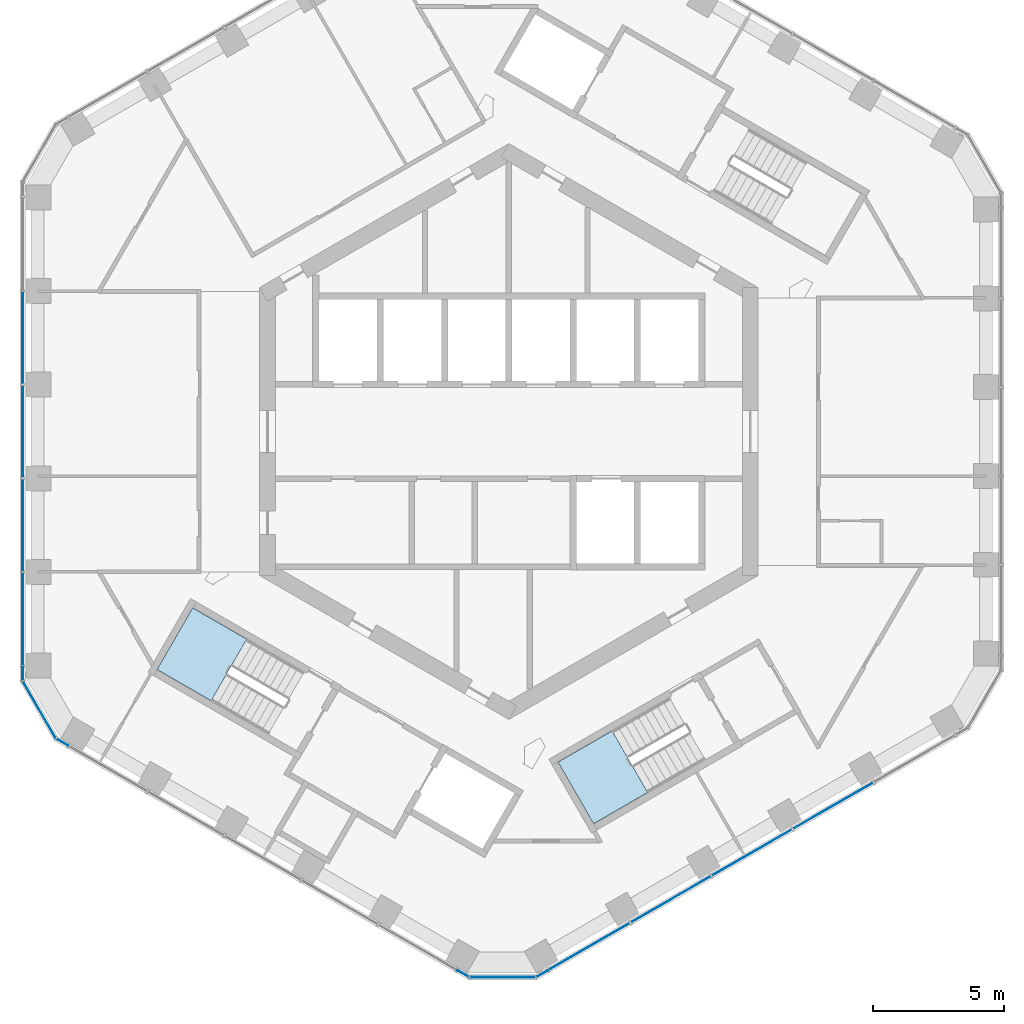
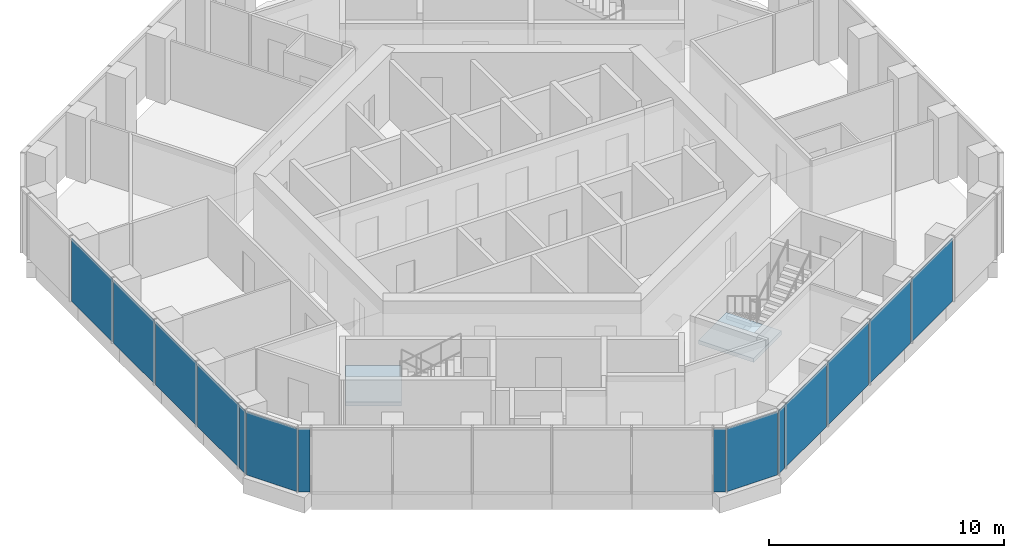
# One storey, part 9 of 18: 14 plates, 2 slabs, 6 elements without a shape of their own.
"""IFC4 building model written with IfcOpenShell, lengths in metres."""

import ifcopenshell
import ifcopenshell.guid

model = None  # the IFC model being written
_history = None  # IfcOwnerHistory: only IFC2X3 demands one
_inside = {}  # id of a spatial element -> (the spatial element, [elements in it])
_under = {}  # id of a project, library or spatial element -> (it, [spatial elements below it])
_declared = {}  # id of a project -> (the project, [libraries it declares])
_typed = {}  # id of a type object -> (the type object, [elements of that type])
_made_of = {}  # id of a material, layer set ... -> (it, [elements and type objects made of it])


def new_model(schema):
    """Start an empty IFC model of exactly this schema.

    Asked for "IFC4X3", IfcOpenShell would pick the latest addendum, in which some entities
    have other attributes; the version numbers below select the first issue.
    IFC2X3 requires an IfcOwnerHistory on every rooted entity: one is made here for all.
    """
    global model, _history
    if schema == "IFC4X3":
        model = ifcopenshell.file(schema_version=(4, 3, 0, 0))
    else:
        model = ifcopenshell.file(schema=schema)
    _inside.clear()
    _under.clear()
    _declared.clear()
    _typed.clear()
    _made_of.clear()
    _history = None
    if model.schema == "IFC2X3":
        org = make("IfcOrganization", Name="unknown")
        user = make(
            "IfcPersonAndOrganization",
            ThePerson=make("IfcPerson", FamilyName="unknown"),
            TheOrganization=org,
        )
        app = make(
            "IfcApplication",
            ApplicationDeveloper=org,
            Version="unknown",
            ApplicationFullName="unknown",
            ApplicationIdentifier="unknown",
        )
        _history = make(
            "IfcOwnerHistory",
            OwningUser=user,
            OwningApplication=app,
            ChangeAction="ADDED",
            CreationDate=0,
        )
    return model


def make(cls, **values):
    """One entity of the class cls with the attributes given. An attribute that is None is left unset."""
    return model.create_entity(
        cls, **{name: value for name, value in values.items() if value is not None}
    )


def rooted(cls, **values):
    """An entity with a GlobalId (a new one), such as an element, a storey or a relation."""
    return make(cls, GlobalId=ifcopenshell.guid.new(), OwnerHistory=_history, **values)


def si_unit(unit_type, name, prefix=None):
    """IfcSIUnit, for example si_unit("LENGTHUNIT", "METRE", prefix="MILLI")."""
    return make("IfcSIUnit", UnitType=unit_type, Prefix=prefix, Name=name)


def assignment(units):
    """IfcUnitAssignment: the units of a project."""
    return None if units is None else make("IfcUnitAssignment", Units=units)


def point(xyz):
    """IfcCartesianPoint."""
    return None if xyz is None else make("IfcCartesianPoint", Coordinates=xyz)


def direction(xyz):
    """IfcDirection."""
    return None if xyz is None else make("IfcDirection", DirectionRatios=xyz)


def frame(location, z_axis=None, x_axis=None):
    """IfcAxis2Placement3D, a coordinate frame: its origin and axes. An axis left out is left unset."""
    return make(
        "IfcAxis2Placement3D",
        Location=point(location),
        Axis=direction(z_axis),
        RefDirection=direction(x_axis),
    )


def frame_2d(location, x_axis=None):
    """IfcAxis2Placement2D, a coordinate frame in the plane: its origin and x axis."""
    return make(
        "IfcAxis2Placement2D", Location=point(location), RefDirection=direction(x_axis)
    )


def origin():
    """The frame at (0, 0, 0) with its axes left unset."""
    return frame((0.0, 0.0, 0.0))


def origin_2d():
    """The frame at (0, 0) in the plane with its x axis left unset."""
    return frame_2d((0.0, 0.0))


def place(relative_to, where):
    """IfcLocalPlacement: puts the frame where relative to a parent placement (None: the world)."""
    return make(
        "IfcLocalPlacement", PlacementRelTo=relative_to, RelativePlacement=where
    )


def context(
    kind, dimensions, precision=None, world=None, true_north=None, identifier=None
):
    """IfcGeometricRepresentationContext, for example the 3D "Model" context."""
    return make(
        "IfcGeometricRepresentationContext",
        ContextIdentifier=identifier,
        ContextType=kind,
        CoordinateSpaceDimension=dimensions,
        Precision=precision,
        WorldCoordinateSystem=world,
        TrueNorth=true_north,
    )


def subcontext(parent, identifier, kind, view, scale=None):
    """IfcGeometricRepresentationSubContext, for example "Body" below "Model"."""
    return make(
        "IfcGeometricRepresentationSubContext",
        ContextIdentifier=identifier,
        ContextType=kind,
        ParentContext=parent,
        TargetScale=scale,
        TargetView=view,
    )


def project(units=None, contexts=None):
    """IfcProject with its units and contexts."""
    return rooted(
        "IfcProject",
        Name="project",
        RepresentationContexts=contexts,
        UnitsInContext=assignment(units),
    )


def spatial(cls, under=None, at=None, **own):
    """A site, building, storey or space (cls), placed at a placement, below another one or the project."""
    s = rooted(cls, ObjectPlacement=at, **own)
    if under is not None:
        _under.setdefault(under.id(), (under, []))[1].append(s)
    return s


def polyline(points):
    """IfcPolyline through the points."""
    return make("IfcPolyline", Points=[point(p) for p in points])


def profile(cls, at=None, kind="AREA", **sizes):
    """A parametric profile (cls). Its sizes go by their IFC names, for example OverallWidth=200.0."""
    return make(cls, ProfileType=kind, Position=at, **sizes)


def rectangle(**sizes):
    """IfcRectangleProfileDef."""
    return profile("IfcRectangleProfileDef", **sizes)


def outline(outer, holes=None, kind="AREA"):
    """IfcArbitraryClosedProfileDef: a profile drawn as a closed curve; with holes, ...WithVoids."""
    if holes is None:
        return make("IfcArbitraryClosedProfileDef", ProfileType=kind, OuterCurve=outer)
    return make(
        "IfcArbitraryProfileDefWithVoids",
        ProfileType=kind,
        OuterCurve=outer,
        InnerCurves=holes,
    )


def extrude(swept, where, along, depth):
    """IfcExtrudedAreaSolid: the profile swept, set in the frame where, extruded along a direction by depth."""
    return make(
        "IfcExtrudedAreaSolid",
        SweptArea=swept,
        Position=where,
        ExtrudedDirection=direction(along),
        Depth=depth,
    )


def shape(context_of_items, identifier, shape_type, items):
    """IfcShapeRepresentation: the items that make up one representation, for example the "Body"."""
    return make(
        "IfcShapeRepresentation",
        ContextOfItems=context_of_items,
        RepresentationIdentifier=identifier,
        RepresentationType=shape_type,
        Items=items,
    )


def material(Name=None, Category=None):
    """IfcMaterial."""
    return make("IfcMaterial", Name=Name, Category=Category)


def layer(
    of_material, thickness, ventilated=None, Name=None, Category=None, Priority=None
):
    """IfcMaterialLayer: one layer of a wall or slab, of a material (None: an air gap)."""
    return make(
        "IfcMaterialLayer",
        Material=of_material,
        LayerThickness=thickness,
        IsVentilated=ventilated,
        Name=Name,
        Category=Category,
        Priority=Priority,
    )


def layer_set(layers, Name=None):
    """IfcMaterialLayerSet."""
    return make("IfcMaterialLayerSet", MaterialLayers=layers, LayerSetName=Name)


def made_of(thing, what):
    """Note that an element or type object is made of a material, layer set ...; save() writes the relation."""
    if what is not None:
        _made_of.setdefault(what.id(), (what, []))[1].append(thing)
    return thing


def type_object(cls, material=None, **own):
    """A type object (cls), such as IfcWallType, which elements share."""
    return made_of(rooted(cls, **own), material)


def element(
    cls,
    number,
    at=None,
    inside=None,
    cuts=None,
    type_object=None,
    material=None,
    context=None,
    identifier="Body",
    shape_type=None,
    held_by="IfcProductDefinitionShape",
    body=None,
    shapes=None,
    **own,
):
    """One element of the class cls, such as IfcWall. Its Tag is "e" and its number.

    at: its placement. inside: the storey or other place that contains it. cuts: it is an
    opening in that element (IfcRelVoidsElement). A single representation is given by context,
    identifier, shape_type and body (its items); several are given by shapes. held_by: the class
    of the entity that holds the representations. save() writes the other relations.
    """
    e = rooted(cls, Tag="e%d" % number, ObjectPlacement=at, **own)
    if body is not None:
        shapes = [shape(context, identifier, shape_type, body)]
    if shapes is not None:
        e.Representation = make(held_by, Representations=shapes)
    if inside is not None:
        _inside.setdefault(inside.id(), (inside, []))[1].append(e)
    if cuts is not None:
        rooted(
            "IfcRelVoidsElement", RelatingBuildingElement=cuts, RelatedOpeningElement=e
        )
    if type_object is not None:
        _typed.setdefault(type_object.id(), (type_object, []))[1].append(e)
    return made_of(e, material)


def aggregate(whole, parts):
    """IfcRelAggregates: a whole, such as a stair, and the parts it consists of."""
    return rooted("IfcRelAggregates", RelatingObject=whole, RelatedObjects=parts)


def save(model, path):
    """Write the relations noted so far, then the file.

    IfcRelAggregates (storeys below a building ...), IfcRelContainedInSpatialStructure (elements
    in a storey), IfcRelDefinesByType, IfcRelAssociatesMaterial and IfcRelDeclares: one each for
    every whole, place, type object, material and project.
    """
    for whole, parts in _under.values():
        aggregate(whole, parts)
    for where, things in _inside.values():
        rooted(
            "IfcRelContainedInSpatialStructure",
            RelatedElements=things,
            RelatingStructure=where,
        )
    for kind, things in _typed.values():
        rooted("IfcRelDefinesByType", RelatedObjects=things, RelatingType=kind)
    for what, things in _made_of.values():
        rooted("IfcRelAssociatesMaterial", RelatedObjects=things, RelatingMaterial=what)
    for by, libraries in _declared.values():
        rooted("IfcRelDeclares", RelatingContext=by, RelatedDefinitions=libraries)
    model.write(path)


model = new_model("IFC4")

# Units and contexts
model_context = context("Model", 3, precision=1e-05, world=origin(), true_north=direction((0.0, 1.0)))
body_context = subcontext(model_context, "Body", "Model", "MODEL_VIEW")
ifc_project = project(units=[si_unit("LENGTHUNIT", "METRE"), si_unit("AREAUNIT", "SQUARE_METRE"), si_unit("VOLUMEUNIT", "CUBIC_METRE"), si_unit("PLANEANGLEUNIT", "RADIAN"), si_unit("MASSUNIT", "GRAM", prefix="KILO")], contexts=[model_context])

# Site, building, storey
site_placement = place(None, origin())
site = spatial("IfcSite", under=ifc_project, at=site_placement, CompositionType="ELEMENT")
building_placement = place(site_placement, origin())
building = spatial("IfcBuilding", under=site, at=building_placement, Name="Ayvan Gate Tower", CompositionType="ELEMENT")
storey_placement = place(building_placement, frame((0.0, 0.0, 166.300048828125)))
storey = spatial("IfcBuildingStorey", under=building, at=storey_placement, Name="L44", CompositionType="ELEMENT", Elevation=166.300048828125)

# Stair, slab
ifc_material_1 = material(Name="Concrete C40/50", Category="concrete")
stair_type = type_object("IfcStairType", Name="ST-EXIT", PredefinedType="HALF_TURN_STAIR", material=ifc_material_1)
stair_1_placement = place(storey_placement, origin())
stair_1 = element("IfcStair", 1, at=stair_1_placement, inside=storey, type_object=stair_type, Name="L44 Exit Stair S2", PredefinedType="HALF_TURN_STAIR")
ifc_layer_1 = layer(ifc_material_1, 0.199951171875)
ifc_layer_set_1 = layer_set([ifc_layer_1], Name="Concrete C40/50")
slab_type = type_object("IfcSlabType", Name="SL-LANDING-200", PredefinedType="LANDING", material=ifc_layer_set_1)
slab_1_placement = place(storey_placement, frame((0.0, 0.0, 1.5)))
slab_1 = element("IfcSlab", 2, at=slab_1_placement, type_object=slab_type, Name="STS2 landing 1", PredefinedType="LANDING", context=body_context, shape_type="SweptSolid", body=[
    extrude(outline(polyline([(-9.988525390625, -7.91064453125), (-12.049560546875, -6.720458984375), (-13.404541015625, -9.0673828125), (-11.343505859375, -10.257568359375), (-9.988525390625, -7.91064453125)])), origin(), (0.0, 0.0, 1.0), 0.199951171875),
])
aggregate(stair_1, [slab_1])

stair_2_placement = place(storey_placement, origin())
stair_2 = element("IfcStair", 3, at=stair_2_placement, inside=storey, type_object=stair_type, Name="L44 Exit Stair S3", PredefinedType="HALF_TURN_STAIR")
slab_2_placement = place(storey_placement, frame((0.0, 0.0, 1.5)))
slab_2 = element("IfcSlab", 4, at=slab_2_placement, type_object=slab_type, Name="STS3 landing 1", PredefinedType="LANDING", context=body_context, shape_type="SweptSolid", body=[
    extrude(outline(polyline([(3.93505859375, -11.405517578125), (1.873779296875, -12.595458984375), (3.228759765625, -14.9423828125), (5.2900390625, -13.75244140625), (3.93505859375, -11.405517578125)])), origin(), (0.0, 0.0, 1.0), 0.199951171875),
])
aggregate(stair_2, [slab_2])

# Curtain wall, plates
ifc_material_2 = material(Name="Bronze anodised aluminium", Category="aluminium")
ifc_layer_2 = layer(ifc_material_2, 0.199951171875)
ifc_layer_set_2 = layer_set([ifc_layer_2], Name="Bronze anodised aluminium")
curtain_wall_type_1 = type_object("IfcCurtainWallType", Name="Stick curtain wall CW-2", PredefinedType="NOTDEFINED", material=ifc_layer_set_2)
curtain_wall_1_placement = place(storey_placement, origin())
curtain_wall_1 = element("IfcCurtainWall", 5, at=curtain_wall_1_placement, inside=storey, type_object=curtain_wall_type_1, Name="Stick curtain wall CW-2 L44", PredefinedType="NOTDEFINED")
ifc_material_3 = material(Name="Clear low-iron laminated glass", Category="glass")
ifc_layer_3 = layer(ifc_material_3, 0.028076171875)
ifc_layer_set_3 = layer_set([ifc_layer_3], Name="Clear low-iron laminated glass")
plate_type_1 = type_object("IfcPlateType", Name="Stick curtain wall CW-2 glass panel", PredefinedType="CURTAIN_PANEL", material=ifc_layer_set_3)
plate_1_placement = place(storey_placement, frame((-18.524169921875, 3.569091796875, 0.0), z_axis=(0.0, 0.0, 1.0), x_axis=(0.0, -1.0, 0.0)))
plate_1 = element("IfcPlate", 6, at=plate_1_placement, type_object=plate_type_1, Name="CW-2 glass panel 2", PredefinedType="CURTAIN_PANEL", context=body_context, shape_type="SweptSolid", body=[
    extrude(rectangle(XDim=3.4990234375, YDim=0.028076171875, at=origin_2d()), origin(), (0.0, 0.0, 1.0), 3.280029296875),
])
plate_2_placement = place(storey_placement, frame((-18.524169921875, 0.000244140625, 0.0), z_axis=(0.0, 0.0, 1.0), x_axis=(0.0, -1.0, 0.0)))
plate_2 = element("IfcPlate", 7, at=plate_2_placement, type_object=plate_type_1, Name="CW-2 glass panel 3", PredefinedType="CURTAIN_PANEL", context=body_context, shape_type="SweptSolid", body=[
    extrude(rectangle(XDim=3.4990234375, YDim=0.028076171875, at=origin_2d()), origin(), (0.0, 0.0, 1.0), 3.280029296875),
])
plate_3_placement = place(storey_placement, frame((-18.524169921875, -3.56884765625, 0.0), z_axis=(0.0, 0.0, 1.0), x_axis=(0.0, -1.0, 0.0)))
plate_3 = element("IfcPlate", 8, at=plate_3_placement, type_object=plate_type_1, Name="CW-2 glass panel 4", PredefinedType="CURTAIN_PANEL", context=body_context, shape_type="SweptSolid", body=[
    extrude(rectangle(XDim=3.4990234375, YDim=0.028076171875, at=origin_2d()), origin(), (0.0, 0.0, 1.0), 3.280029296875),
])
plate_4_placement = place(storey_placement, frame((-18.524169921875, -7.1669921875, 0.0), z_axis=(0.0, 0.0, 1.0), x_axis=(0.0, -1.0, 0.0)))
plate_4 = element("IfcPlate", 9, at=plate_4_placement, type_object=plate_type_1, Name="CW-2 glass panel 5", PredefinedType="CURTAIN_PANEL", context=body_context, shape_type="SweptSolid", body=[
    extrude(rectangle(XDim=3.557373046875, YDim=0.028076171875, at=origin_2d()), origin(), (0.0, 0.0, 1.0), 3.280029296875),
])
aggregate(curtain_wall_1, [plate_1, plate_2, plate_3, plate_4])

curtain_wall_2_placement = place(storey_placement, origin())
curtain_wall_2 = element("IfcCurtainWall", 10, at=curtain_wall_2_placement, inside=storey, type_object=curtain_wall_type_1, Name="Stick curtain wall CW-2 L44", PredefinedType="NOTDEFINED")
plate_5_placement = place(storey_placement, frame((3.05517578125, -19.6259765625, 0.0), z_axis=(0.0, 0.0, 1.0), x_axis=(0.866025403784, 0.5, 0.0)))
plate_5 = element("IfcPlate", 11, at=plate_5_placement, type_object=plate_type_1, Name="CW-2 glass panel 1", PredefinedType="CURTAIN_PANEL", context=body_context, shape_type="SweptSolid", body=[
    extrude(rectangle(XDim=3.556884765625, YDim=0.028076171875, at=origin_2d()), origin(), (0.0, 0.0, 1.0), 3.280029296875),
])
plate_6_placement = place(storey_placement, frame((6.171142578125, -17.826904296875, 0.0), z_axis=(0.0, 0.0, 1.0), x_axis=(0.866025403784, 0.5, 0.0)))
plate_6 = element("IfcPlate", 12, at=plate_6_placement, type_object=plate_type_1, Name="CW-2 glass panel 2", PredefinedType="CURTAIN_PANEL", context=body_context, shape_type="SweptSolid", body=[
    extrude(rectangle(XDim=3.4990234375, YDim=0.028076171875, at=origin_2d()), origin(), (0.0, 0.0, 1.0), 3.280029296875),
])
plate_7_placement = place(storey_placement, frame((9.261962890625, -16.04248046875, 0.0), z_axis=(0.0, 0.0, 1.0), x_axis=(0.866025403784, 0.5, 0.0)))
plate_7 = element("IfcPlate", 13, at=plate_7_placement, type_object=plate_type_1, Name="CW-2 glass panel 3", PredefinedType="CURTAIN_PANEL", context=body_context, shape_type="SweptSolid", body=[
    extrude(rectangle(XDim=3.4990234375, YDim=0.028076171875, at=origin_2d()), origin(), (0.0, 0.0, 1.0), 3.280029296875),
])
plate_8_placement = place(storey_placement, frame((12.352783203125, -14.258056640625, 0.0), z_axis=(0.0, 0.0, 1.0), x_axis=(0.866025403784, 0.5, 0.0)))
plate_8 = element("IfcPlate", 14, at=plate_8_placement, type_object=plate_type_1, Name="CW-2 glass panel 4", PredefinedType="CURTAIN_PANEL", context=body_context, shape_type="SweptSolid", body=[
    extrude(rectangle(XDim=3.4990234375, YDim=0.028076171875, at=origin_2d()), origin(), (0.0, 0.0, 1.0), 3.280029296875),
])
aggregate(curtain_wall_2, [plate_5, plate_6, plate_7, plate_8])

ifc_layer_4 = layer(ifc_material_2, 0.199951171875)
ifc_layer_set_4 = layer_set([ifc_layer_4], Name="Bronze anodised aluminium")
curtain_wall_type_2 = type_object("IfcCurtainWallType", Name="Stick curtain wall CW-6", PredefinedType="NOTDEFINED", material=ifc_layer_set_4)
curtain_wall_3_placement = place(storey_placement, origin())
curtain_wall_3 = element("IfcCurtainWall", 15, at=curtain_wall_3_placement, inside=storey, type_object=curtain_wall_type_2, Name="Stick curtain wall CW-6 L44", PredefinedType="NOTDEFINED")
ifc_layer_5 = layer(ifc_material_3, 0.028076171875)
ifc_layer_set_5 = layer_set([ifc_layer_5], Name="Clear low-iron laminated glass")
plate_type_2 = type_object("IfcPlateType", Name="Stick curtain wall CW-6 glass panel", PredefinedType="CURTAIN_PANEL", material=ifc_layer_set_5)
plate_9_placement = place(storey_placement, frame((-18.524169921875, -9.230712890625, 0.0), z_axis=(0.0, 0.0, 1.0), x_axis=(0.0, -1.0, 0.0)))
plate_9 = element("IfcPlate", 16, at=plate_9_placement, type_object=plate_type_2, Name="CW-6 glass panel 1", PredefinedType="CURTAIN_PANEL", context=body_context, shape_type="SweptSolid", body=[
    extrude(rectangle(XDim=0.5, YDim=0.028076171875, at=origin_2d()), origin(), (0.0, 0.0, 1.0), 3.280029296875),
])
plate_10_placement = place(storey_placement, frame((-17.890625, -10.603271484375, 0.0), z_axis=(0.0, 0.0, 1.0), x_axis=(0.5, -0.866025403784, 0.0)))
plate_10 = element("IfcPlate", 17, at=plate_10_placement, type_object=plate_type_2, Name="CW-6 glass panel 2", PredefinedType="CURTAIN_PANEL", context=body_context, shape_type="SweptSolid", body=[
    extrude(rectangle(XDim=2.484619140625, YDim=0.028076171875, at=origin_2d()), origin(), (0.0, 0.0, 1.0), 3.280029296875),
])
plate_11_placement = place(storey_placement, frame((-17.018798828125, -11.838134765625, 0.0), z_axis=(0.0, 0.0, 1.0), x_axis=(0.866025403784, -0.5, 0.0)))
plate_11 = element("IfcPlate", 18, at=plate_11_placement, type_object=plate_type_2, Name="CW-6 glass panel 3", PredefinedType="CURTAIN_PANEL", context=body_context, shape_type="SweptSolid", body=[
    extrude(rectangle(XDim=0.5, YDim=0.028076171875, at=origin_2d()), origin(), (0.0, 0.0, 1.0), 3.280029296875),
])
aggregate(curtain_wall_3, [plate_9, plate_10, plate_11])

curtain_wall_4_placement = place(storey_placement, origin())
curtain_wall_4 = element("IfcCurtainWall", 19, at=curtain_wall_4_placement, inside=storey, type_object=curtain_wall_type_2, Name="Stick curtain wall CW-6 L44", PredefinedType="NOTDEFINED")
plate_12_placement = place(storey_placement, frame((-1.742919921875, -20.65771484375, 0.0), z_axis=(0.0, 0.0, 1.0), x_axis=(0.866025403784, -0.5, 0.0)))
plate_12 = element("IfcPlate", 20, at=plate_12_placement, type_object=plate_type_2, Name="CW-6 glass panel 1", PredefinedType="CURTAIN_PANEL", context=body_context, shape_type="SweptSolid", body=[
    extrude(rectangle(XDim=0.5, YDim=0.028076171875, at=origin_2d()), origin(), (0.0, 0.0, 1.0), 3.280029296875),
])
plate_13_placement = place(storey_placement, frame((-0.2373046875, -20.795166015625, 0.0), z_axis=(0.0, 0.0, 1.0), x_axis=(1.0, 0.0, 0.0)))
plate_13 = element("IfcPlate", 21, at=plate_13_placement, type_object=plate_type_2, Name="CW-6 glass panel 2", PredefinedType="CURTAIN_PANEL", context=body_context, shape_type="SweptSolid", body=[
    extrude(rectangle(XDim=2.484619140625, YDim=0.028076171875, at=origin_2d()), origin(), (0.0, 0.0, 1.0), 3.280029296875),
])
plate_14_placement = place(storey_placement, frame((1.26806640625, -20.65771484375, 0.0), z_axis=(0.0, 0.0, 1.0), x_axis=(0.866025403784, 0.5, 0.0)))
plate_14 = element("IfcPlate", 22, at=plate_14_placement, type_object=plate_type_2, Name="CW-6 glass panel 3", PredefinedType="CURTAIN_PANEL", context=body_context, shape_type="SweptSolid", body=[
    extrude(rectangle(XDim=0.5, YDim=0.028076171875, at=origin_2d()), origin(), (0.0, 0.0, 1.0), 3.280029296875),
])
aggregate(curtain_wall_4, [plate_12, plate_13, plate_14])

save(model, "model.ifc")
